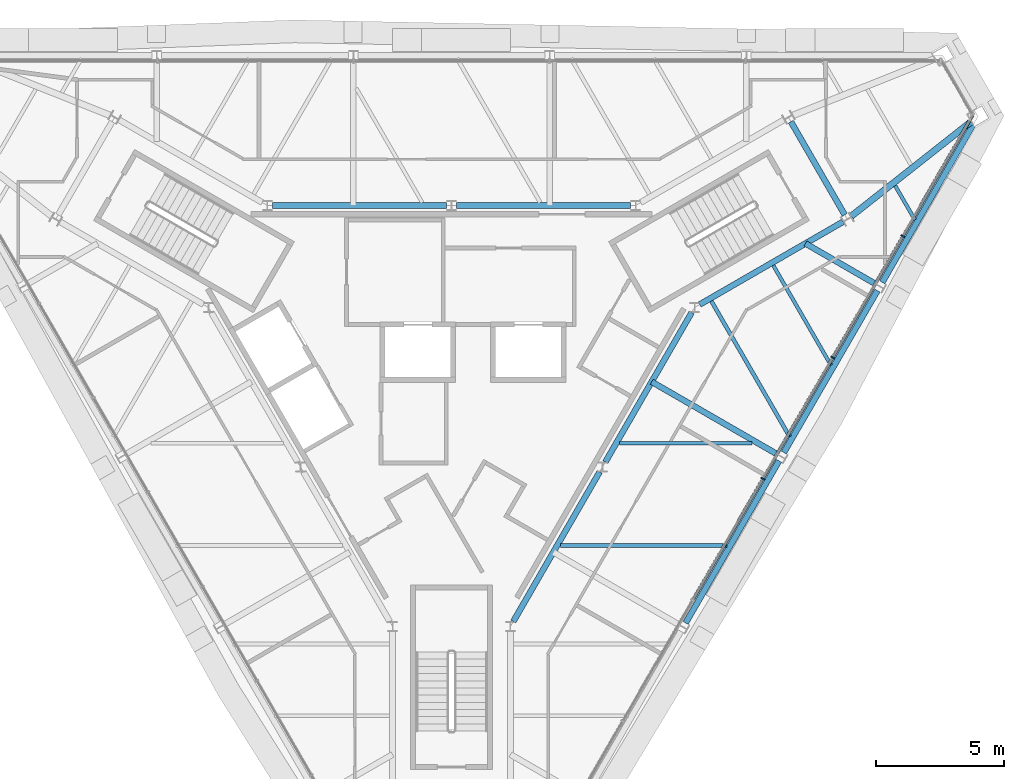
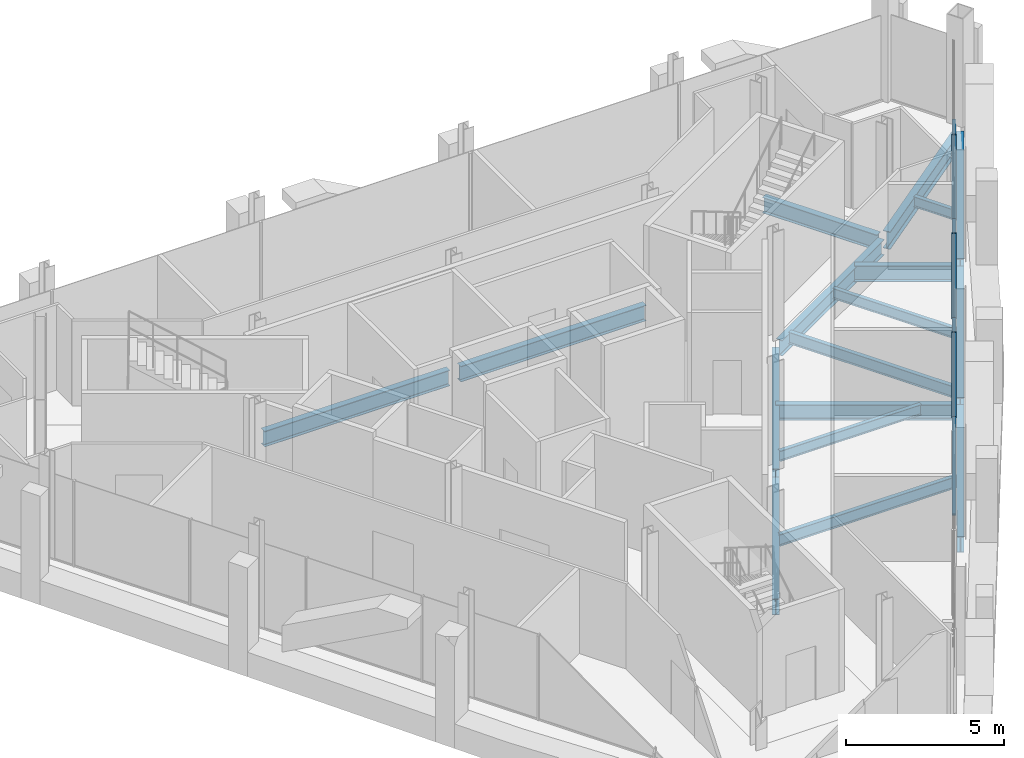
# One storey, part 5 of 13: 17 beams, 7 members, 1 element without a shape of its own.
"""IFC4 building model written with IfcOpenShell, lengths in metres."""

from ifc_helpers import new_model, si_unit, direction, frame, origin, origin_2d, place, context, subcontext, project, spatial, rectangle, i_section, extrude, material, material_profile, profile_set, type_object, element, aggregate, save


model = new_model("IFC4")

# Units and contexts
model_context = context("Model", 3, precision=1e-05, world=origin(), true_north=direction((0.0, 1.0)))
body_context = subcontext(model_context, "Body", "Model", "MODEL_VIEW")
ifc_project = project(units=[si_unit("LENGTHUNIT", "METRE"), si_unit("AREAUNIT", "SQUARE_METRE"), si_unit("VOLUMEUNIT", "CUBIC_METRE"), si_unit("PLANEANGLEUNIT", "RADIAN"), si_unit("MASSUNIT", "GRAM", prefix="KILO")], contexts=[model_context])

# Site, building, storey
site_placement = place(None, origin())
site = spatial("IfcSite", under=ifc_project, at=site_placement, CompositionType="ELEMENT")
building_placement = place(site_placement, origin())
building = spatial("IfcBuilding", under=site, at=building_placement, Name="Verrane Prism Tower", CompositionType="ELEMENT")
storey_placement = place(building_placement, frame((0.0, 0.0, 321.0)))
storey = spatial("IfcBuildingStorey", under=building, at=storey_placement, Name="L81", CompositionType="ELEMENT", Elevation=321.0)

# Beams
ifc_material_1 = material(Name="Steel A992", Category="steel")
ifc_material_profile_1 = material_profile(ifc_material_1, i_section(OverallWidth=0.228271484375, OverallDepth=0.607177734375, WebThickness=0.01123046875, FlangeThickness=0.017333984375, FilletRadius=0.0126953125, at=origin_2d()), Name="W24x76")
ifc_profile_set_1 = profile_set([ifc_material_profile_1], Name="Steel A992")
beam_type_1 = type_object("IfcBeamType", Name="Core ring girder W24x76", PredefinedType="BEAM", material=ifc_profile_set_1)
beam_1_placement = place(storey_placement, frame((9.679443359375, 2.93505859375, -0.553466796875), z_axis=(0.866076057046, 0.499912255713, 0.0), x_axis=(-0.499912255713, 0.866076057046, 0.0)))
element("IfcBeam", 1, at=beam_1_placement, inside=storey, type_object=beam_type_1, Name="Core ring girder L81", PredefinedType="BEAM", context=body_context, shape_type="SweptSolid", body=[
    extrude(i_section(OverallWidth=0.228271484375, OverallDepth=0.607177734375, WebThickness=0.01123046875, FlangeThickness=0.017333984375, FilletRadius=0.0126953125, at=origin_2d()), origin(), (0.0, 0.0, 1.0), 6.458251953125),
])
beam_2_placement = place(storey_placement, frame((15.340087890625, 6.4326171875, -0.553466796875), z_axis=(-0.500323136493, 0.865838760445, 0.0), x_axis=(-0.865838760445, -0.500323136493, 0.0)))
element("IfcBeam", 2, at=beam_2_placement, inside=storey, type_object=beam_type_1, Name="Core ring girder L81", PredefinedType="BEAM", context=body_context, shape_type="SweptSolid", body=[
    extrude(i_section(OverallWidth=0.228271484375, OverallDepth=0.607177734375, WebThickness=0.01123046875, FlangeThickness=0.017333984375, FilletRadius=0.0126953125, at=origin_2d()), origin(), (0.0, 0.0, 1.0), 4.197998046875),
])
for number, where, z_axis, x_axis, name in (
    (3, (6.980712890625, 6.800048828125, -0.553466796875), (-1.0, 0.0, 0.0), (0.0, -1.0, 0.0), "Core ring girder L81"),
    (4, (-0.199462890625, 6.800048828125, -0.553466796875), (-1.0, 0.0, 0.0), (0.0, -1.0, 0.0), "Core ring girder L81"),
):
    element("IfcBeam", number, at=place(storey_placement, frame(where, z_axis=z_axis, x_axis=x_axis)), inside=storey, type_object=beam_type_1, Name=name, PredefinedType="BEAM", context=body_context, shape_type="SweptSolid", body=[
        extrude(i_section(OverallWidth=0.228271484375, OverallDepth=0.607177734375, WebThickness=0.01123046875, FlangeThickness=0.017333984375, FilletRadius=0.0126953125, at=origin_2d()), origin(), (0.0, 0.0, 1.0), 6.78125),
    ])
for number, where, z_axis, x_axis, name in (
    (5, (2.411376953125, -9.427001953125, -0.553466796875), (0.499881421193, 0.866093854468, 0.0), (-0.866093854468, 0.499881421193, 0.0), "Core ring girder L81"),
    (6, (6.00146484375, -3.20703125, -0.553466796875), (0.499881421193, 0.866093854468, 0.0), (-0.866093854468, 0.499881421193, 0.0), "Core ring girder L81"),
):
    element("IfcBeam", number, at=place(storey_placement, frame(where, z_axis=z_axis, x_axis=x_axis)), inside=storey, type_object=beam_type_1, Name=name, PredefinedType="BEAM", context=body_context, shape_type="SweptSolid", body=[
        extrude(i_section(OverallWidth=0.228271484375, OverallDepth=0.607177734375, WebThickness=0.01123046875, FlangeThickness=0.017333984375, FilletRadius=0.0126953125, at=origin_2d()), origin(), (0.0, 0.0, 1.0), 6.736083984375),
    ])
ifc_material_2 = material(Name="Steel A992", Category="steel")
ifc_material_profile_2 = material_profile(ifc_material_2, i_section(OverallWidth=0.25390625, OverallDepth=0.683349609375, WebThickness=0.012451171875, FlangeThickness=0.01904296875, FilletRadius=0.01513671875, at=origin_2d()), Name="W27x94")
ifc_profile_set_2 = profile_set([ifc_material_profile_2], Name="Steel A992")
beam_type_2 = type_object("IfcBeamType", Name="Corner girder W27x94", PredefinedType="BEAM", material=ifc_profile_set_2)
beam_3_placement = place(storey_placement, frame((20.26220703125, 10.06103515625, -0.5615234375), z_axis=(-0.785339810319, -0.619064925777, 0.0), x_axis=(0.619064925777, -0.785339810319, 0.0)))
element("IfcBeam", 7, at=beam_3_placement, inside=storey, type_object=beam_type_2, Name="Corner girder L81", PredefinedType="BEAM", context=body_context, shape_type="SweptSolid", body=[
    extrude(i_section(OverallWidth=0.25390625, OverallDepth=0.683349609375, WebThickness=0.012451171875, FlangeThickness=0.01904296875, FilletRadius=0.01513671875, at=origin_2d()), origin(), (0.0, 0.0, 1.0), 5.945068359375),
])
ifc_material_3 = material(Name="Steel A992", Category="steel")
ifc_material_profile_3 = material_profile(ifc_material_3, i_section(OverallWidth=0.140380859375, OverallDepth=0.40380859375, WebThickness=0.007080078125, FlangeThickness=0.01123046875, FilletRadius=0.01025390625, at=origin_2d()), Name="W16x31")
ifc_profile_set_3 = profile_set([ifc_material_profile_3], Name="Steel A992")
beam_type_3 = type_object("IfcBeamType", Name="Floor beam W16x31", PredefinedType="BEAM", material=ifc_profile_set_3)
beam_4_placement = place(storey_placement, frame((6.5595703125, -2.469970703125, -0.36181640625), z_axis=(1.0, 0.0, 0.0), x_axis=(0.0, 1.0, 0.0)))
element("IfcBeam", 8, at=beam_4_placement, inside=storey, type_object=beam_type_3, Name="Floor beam L81", PredefinedType="BEAM", context=body_context, shape_type="SweptSolid", body=[
    extrude(i_section(OverallWidth=0.140380859375, OverallDepth=0.40380859375, WebThickness=0.007080078125, FlangeThickness=0.01123046875, FilletRadius=0.01025390625, at=origin_2d()), origin(), (0.0, 0.0, 1.0), 5.1640625),
])
beam_5_placement = place(storey_placement, frame((14.801513671875, 0.5673828125, -0.36181640625), z_axis=(-0.500038829804, 0.866002984226, 0.0), x_axis=(-0.866002984226, -0.500038829804, 0.0)))
element("IfcBeam", 9, at=beam_5_placement, inside=storey, type_object=beam_type_3, Name="Floor beam L81", PredefinedType="BEAM", context=body_context, shape_type="SweptSolid", body=[
    extrude(i_section(OverallWidth=0.140380859375, OverallDepth=0.40380859375, WebThickness=0.007080078125, FlangeThickness=0.01123046875, FilletRadius=0.01025390625, at=origin_2d()), origin(), (0.0, 0.0, 1.0), 4.497802734375),
])
beam_6_placement = place(storey_placement, frame((18.076904296875, 6.23779296875, -0.36181640625), z_axis=(-0.499978844458, 0.866037617598, 0.0), x_axis=(-0.866037617598, -0.499978844458, 0.0)))
element("IfcBeam", 10, at=beam_6_placement, inside=storey, type_object=beam_type_3, Name="Floor beam L81", PredefinedType="BEAM", context=body_context, shape_type="SweptSolid", body=[
    extrude(i_section(OverallWidth=0.140380859375, OverallDepth=0.40380859375, WebThickness=0.007080078125, FlangeThickness=0.01123046875, FilletRadius=0.01025390625, at=origin_2d()), origin(), (0.0, 0.0, 1.0), 1.53857421875),
])
ifc_material_4 = material(Name="Steel A992", Category="steel")
ifc_material_profile_4 = material_profile(ifc_material_4, i_section(OverallWidth=0.15234375, OverallDepth=0.449462890625, WebThickness=0.007568359375, FlangeThickness=0.0107421875, FilletRadius=0.01025390625, at=origin_2d()), Name="W18x35")
ifc_profile_set_4 = profile_set([ifc_material_profile_4], Name="Steel A992")
beam_type_4 = type_object("IfcBeamType", Name="Floor beam W18x35", PredefinedType="BEAM", material=ifc_profile_set_4)
beam_7_placement = place(storey_placement, frame((4.251953125, -6.4599609375, -0.384765625), z_axis=(1.0, 0.0, 0.0), x_axis=(0.0, 1.0, 0.0)))
element("IfcBeam", 11, at=beam_7_placement, inside=storey, type_object=beam_type_4, Name="Floor beam L81", PredefinedType="BEAM", context=body_context, shape_type="SweptSolid", body=[
    extrude(i_section(OverallWidth=0.15234375, OverallDepth=0.449462890625, WebThickness=0.007568359375, FlangeThickness=0.0107421875, FilletRadius=0.01025390625, at=origin_2d()), origin(), (0.0, 0.0, 1.0), 6.49365234375),
])
beam_8_placement = place(storey_placement, frame((13.189697265625, -2.219482421875, -0.384765625), z_axis=(-0.499979762145, 0.8660370878, 0.0), x_axis=(-0.8660370878, -0.499979762145, 0.0)))
element("IfcBeam", 12, at=beam_8_placement, inside=storey, type_object=beam_type_4, Name="Floor beam L81", PredefinedType="BEAM", context=body_context, shape_type="SweptSolid", body=[
    extrude(i_section(OverallWidth=0.15234375, OverallDepth=0.449462890625, WebThickness=0.007568359375, FlangeThickness=0.0107421875, FilletRadius=0.01025390625, at=origin_2d()), origin(), (0.0, 0.0, 1.0), 6.105224609375),
])

# Curtain wall, members
ifc_material_5 = material(Name="Aluminium framed insulated glazing", Category="aluminium")
curtain_wall_type = type_object("IfcCurtainWallType", Name="Curtain wall CW-B 5600 module", PredefinedType="NOTDEFINED", material=ifc_material_5)
curtain_wall_placement = place(storey_placement, origin())
curtain_wall = element("IfcCurtainWall", 13, at=curtain_wall_placement, inside=storey, type_object=curtain_wall_type, Name="Glazed curtain wall south-east face L81", PredefinedType="NOTDEFINED")
ifc_material_6 = material(Name="Aluminium alloy 6063-T6", Category="aluminium")
ifc_material_profile_5 = material_profile(ifc_material_6, rectangle(XDim=0.159912109375, YDim=0.06005859375, at=origin_2d()), Name="Mullion 60x160 aluminium")
ifc_profile_set_5 = profile_set([ifc_material_profile_5], Name="Aluminium alloy 6063-T6")
member_type_1 = type_object("IfcMemberType", Name="Mullion 60x160 aluminium", PredefinedType="MULLION", material=ifc_profile_set_5)
member_1_placement = place(storey_placement, frame((12.144775390625, -3.85888671875, 0.0), z_axis=(0.0, 0.0, 1.0), x_axis=(-0.866025278644, 0.500000216749, 0.0)))
member_1 = element("IfcMember", 14, at=member_1_placement, type_object=member_type_1, Name="CW81.6 mullion 5", PredefinedType="MULLION", context=body_context, shape_type="SweptSolid", body=[
    extrude(rectangle(XDim=0.159912109375, YDim=0.06005859375, at=origin_2d()), origin(), (0.0, 0.0, 1.0), 3.296630859375),
])
member_2_placement = place(storey_placement, frame((14.87548828125, 0.87060546875, 0.0), z_axis=(0.0, 0.0, 1.0), x_axis=(-0.866025278644, 0.500000216749, 0.0)))
member_2 = element("IfcMember", 15, at=member_2_placement, type_object=member_type_1, Name="CW81.6 mullion 6", PredefinedType="MULLION", context=body_context, shape_type="SweptSolid", body=[
    extrude(rectangle(XDim=0.159912109375, YDim=0.06005859375, at=origin_2d()), origin(), (0.0, 0.0, 1.0), 3.296630859375),
])
member_3_placement = place(storey_placement, frame((17.60595703125, 5.60009765625, 0.0), z_axis=(0.0, 0.0, 1.0), x_axis=(-0.866025278644, 0.500000216749, 0.0)))
member_3 = element("IfcMember", 16, at=member_3_placement, type_object=member_type_1, Name="CW81.6 mullion 7", PredefinedType="MULLION", context=body_context, shape_type="SweptSolid", body=[
    extrude(rectangle(XDim=0.159912109375, YDim=0.06005859375, at=origin_2d()), origin(), (0.0, 0.0, 1.0), 3.296630859375),
])

# Beams
ifc_material_7 = material(Name="Steel A992", Category="steel")
ifc_material_profile_6 = material_profile(ifc_material_7, i_section(OverallWidth=0.228271484375, OverallDepth=0.607177734375, WebThickness=0.01123046875, FlangeThickness=0.017333984375, FilletRadius=0.0126953125, at=origin_2d()), Name="W24x76")
ifc_profile_set_6 = profile_set([ifc_material_profile_6], Name="Steel A992")
beam_type_5 = type_object("IfcBeamType", Name="Radial girder W24x76", PredefinedType="BEAM", material=ifc_profile_set_6)
beam_9_placement = place(storey_placement, frame((12.71044921875, -2.907958984375, -0.5234375), z_axis=(-0.866021122779, 0.500007414845, 0.0), x_axis=(-0.500007414845, -0.866021122779, 0.0)))
element("IfcBeam", 17, at=beam_9_placement, inside=storey, type_object=beam_type_5, Name="Radial girder L81", PredefinedType="BEAM", context=body_context, shape_type="SweptSolid", body=[
    extrude(i_section(OverallWidth=0.228271484375, OverallDepth=0.607177734375, WebThickness=0.01123046875, FlangeThickness=0.017333984375, FilletRadius=0.0126953125, at=origin_2d()), origin(), (0.0, 0.0, 1.0), 5.6611328125),
])
beam_10_placement = place(storey_placement, frame((16.550537109375, 3.732177734375, -0.5234375), z_axis=(-0.866011117715, 0.500024743381, 0.0), x_axis=(-0.500024743381, -0.866011117715, 0.0)))
element("IfcBeam", 18, at=beam_10_placement, inside=storey, type_object=beam_type_5, Name="Radial girder L81", PredefinedType="BEAM", context=body_context, shape_type="SweptSolid", body=[
    extrude(i_section(OverallWidth=0.228271484375, OverallDepth=0.607177734375, WebThickness=0.01123046875, FlangeThickness=0.017333984375, FilletRadius=0.0126953125, at=origin_2d()), origin(), (0.0, 0.0, 1.0), 3.169189453125),
])
ifc_material_8 = material(Name="Steel A992", Category="steel")
ifc_material_profile_7 = material_profile(ifc_material_8, i_section(OverallWidth=0.228271484375, OverallDepth=0.607177734375, WebThickness=0.01123046875, FlangeThickness=0.017333984375, FilletRadius=0.0126953125, at=origin_2d()), Name="W24x76")
ifc_profile_set_7 = profile_set([ifc_material_profile_7], Name="Steel A992")
beam_type_6 = type_object("IfcBeamType", Name="Spandrel beam W24x76", PredefinedType="SPANDREL", material=ifc_profile_set_7)
beam_11_placement = place(storey_placement, frame((9.13330078125, -9.48828125, -0.46337890625), z_axis=(0.499074796412, 0.866558911781, 0.0), x_axis=(-0.866558911781, 0.499074796412, 0.0)))
element("IfcBeam", 19, at=beam_11_placement, inside=storey, type_object=beam_type_6, Name="Spandrel beam L81", PredefinedType="SPANDREL", context=body_context, shape_type="SweptSolid", body=[
    extrude(i_section(OverallWidth=0.228271484375, OverallDepth=0.607177734375, WebThickness=0.01123046875, FlangeThickness=0.017333984375, FilletRadius=0.0126953125, at=origin_2d()), origin(), (0.0, 0.0, 1.0), 7.300537109375),
])
beam_12_placement = place(storey_placement, frame((12.96337890625, -2.83837890625, -0.46337890625), z_axis=(0.50061813753, 0.865668227658, 0.0), x_axis=(-0.865668227658, 0.50061813753, 0.0)))
element("IfcBeam", 20, at=beam_12_placement, inside=storey, type_object=beam_type_6, Name="Spandrel beam L81", PredefinedType="SPANDREL", context=body_context, shape_type="SweptSolid", body=[
    extrude(i_section(OverallWidth=0.228271484375, OverallDepth=0.607177734375, WebThickness=0.01123046875, FlangeThickness=0.017333984375, FilletRadius=0.0126953125, at=origin_2d()), origin(), (0.0, 0.0, 1.0), 7.297119140625),
])
beam_13_placement = place(storey_placement, frame((16.80322265625, 3.8017578125, -0.46337890625), z_axis=(0.499650748497, 0.866226950358, 0.0), x_axis=(-0.866226950358, 0.499650748497, 0.0)))
element("IfcBeam", 21, at=beam_13_placement, inside=storey, type_object=beam_type_6, Name="Spandrel beam L81", PredefinedType="SPANDREL", context=body_context, shape_type="SweptSolid", body=[
    extrude(i_section(OverallWidth=0.228271484375, OverallDepth=0.607177734375, WebThickness=0.01123046875, FlangeThickness=0.017333984375, FilletRadius=0.0126953125, at=origin_2d()), origin(), (0.0, 0.0, 1.0), 7.07421875),
])

# Member
ifc_material_9 = material(Name="Aluminium alloy 6063-T6", Category="aluminium")
ifc_material_profile_8 = material_profile(ifc_material_9, rectangle(XDim=0.1201171875, YDim=0.06005859375, at=origin_2d()), Name="Transom 60x120 aluminium")
ifc_profile_set_8 = profile_set([ifc_material_profile_8], Name="Aluminium alloy 6063-T6")
member_type_2 = type_object("IfcMemberType", Name="Transom 60x120 aluminium", PredefinedType="USERDEFINED", material=ifc_profile_set_8)
member_4_placement = place(storey_placement, frame((9.42919921875, -8.562255859375, 0.030029296875), z_axis=(0.500018516412, 0.866014713065, 0.0), x_axis=(-0.866014713065, 0.500018516412, 0.0)))
member_4 = element("IfcMember", 22, at=member_4_placement, type_object=member_type_2, Name="CW81.6 transom 4", ObjectType="TRANSOM", PredefinedType="USERDEFINED", context=body_context, shape_type="SweptSolid", body=[
    extrude(rectangle(XDim=0.1201171875, YDim=0.06005859375, at=origin_2d()), origin(), (0.0, 0.0, 1.0), 5.401123046875),
])

member_5_placement = place(storey_placement, frame((12.159912109375, -3.832763671875, 0.030029296875), z_axis=(0.499984615007, 0.866034286132, 0.0), x_axis=(-0.866034286132, 0.499984615007, 0.0)))
member_5 = element("IfcMember", 23, at=member_5_placement, type_object=member_type_2, Name="CW81.6 transom 5", ObjectType="TRANSOM", PredefinedType="USERDEFINED", context=body_context, shape_type="SweptSolid", body=[
    extrude(rectangle(XDim=0.1201171875, YDim=0.06005859375, at=origin_2d()), origin(), (0.0, 0.0, 1.0), 5.401123046875),
])

member_6_placement = place(storey_placement, frame((14.890380859375, 0.896728515625, 0.030029296875), z_axis=(0.500018516412, 0.866014713065, 0.0), x_axis=(-0.866014713065, 0.500018516412, 0.0)))
member_6 = element("IfcMember", 24, at=member_6_placement, type_object=member_type_2, Name="CW81.6 transom 6", ObjectType="TRANSOM", PredefinedType="USERDEFINED", context=body_context, shape_type="SweptSolid", body=[
    extrude(rectangle(XDim=0.1201171875, YDim=0.06005859375, at=origin_2d()), origin(), (0.0, 0.0, 1.0), 5.401123046875),
])

member_7_placement = place(storey_placement, frame((17.62109375, 5.6259765625, 0.030029296875), z_axis=(0.499992236248, 0.866029886142, 0.0), x_axis=(-0.866029886142, 0.499992236248, 0.0)))
member_7 = element("IfcMember", 25, at=member_7_placement, type_object=member_type_2, Name="CW81.6 transom 7", ObjectType="TRANSOM", PredefinedType="USERDEFINED", context=body_context, shape_type="SweptSolid", body=[
    extrude(rectangle(XDim=0.1201171875, YDim=0.06005859375, at=origin_2d()), origin(), (0.0, 0.0, 1.0), 5.43115234375),
])

aggregate(curtain_wall, [member_1, member_2, member_3, member_4, member_5, member_6, member_7])

save(model, "model.ifc")
